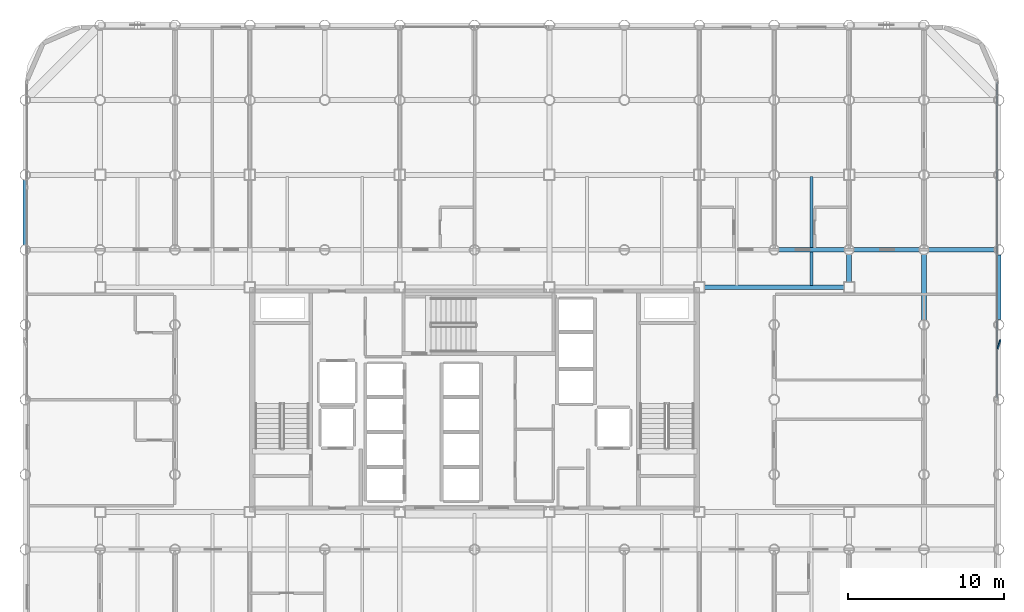
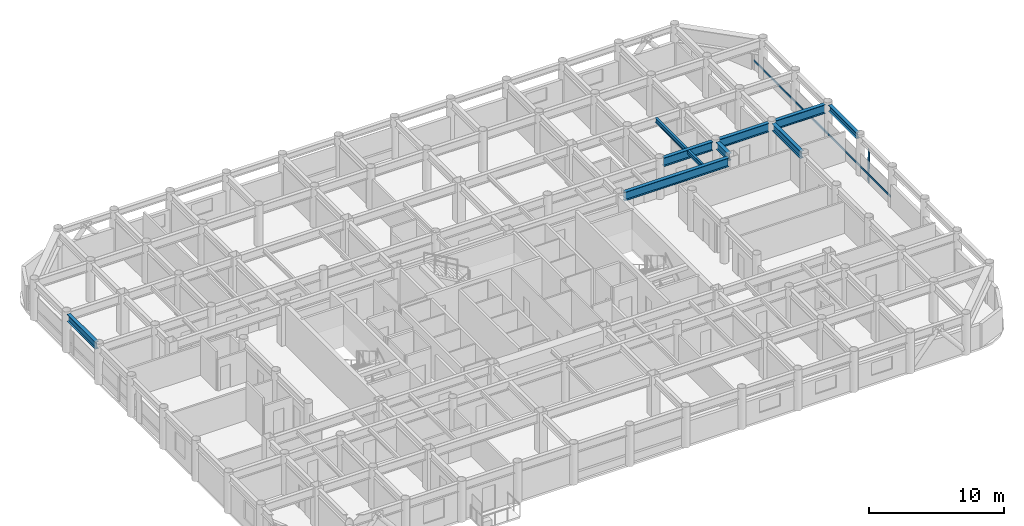
# One storey, part 9 of 22: 9 beams, 2 members, 1 element without a shape of its own.
"""IFC4 building model written with IfcOpenShell, lengths in metres."""

from ifc_helpers import new_model, si_unit, direction, frame, origin, origin_2d, place, context, subcontext, project, spatial, rectangle, hollow_rectangle, i_section, extrude, material, layer, layer_set, material_profile, profile_set, type_object, element, aggregate, save


model = new_model("IFC4")

# Units and contexts
model_context = context("Model", 3, precision=1e-05, world=origin(), true_north=direction((0.0, 1.0)))
body_context = subcontext(model_context, "Body", "Model", "MODEL_VIEW")
ifc_project = project(units=[si_unit("LENGTHUNIT", "METRE"), si_unit("AREAUNIT", "SQUARE_METRE"), si_unit("VOLUMEUNIT", "CUBIC_METRE"), si_unit("PLANEANGLEUNIT", "RADIAN"), si_unit("MASSUNIT", "GRAM", prefix="KILO")], contexts=[model_context])

# Site, building, storey
site_placement = place(None, origin())
site = spatial("IfcSite", under=ifc_project, at=site_placement, CompositionType="ELEMENT")
building_placement = place(site_placement, origin())
building = spatial("IfcBuilding", under=site, at=building_placement, Name="Kallvorn Hotel Tower", CompositionType="ELEMENT")
storey_placement = place(building_placement, frame((0.0, 0.0, 102.60009765625)))
storey = spatial("IfcBuildingStorey", under=building, at=storey_placement, Name="L24", CompositionType="ELEMENT", Elevation=102.60009765625)

# Beams
ifc_material_1 = material(Name="Structural steel S355JR", Category="steel")
ifc_material_profile_1 = material_profile(ifc_material_1, i_section(OverallWidth=0.300048828125, OverallDepth=0.550048828125, WebThickness=0.014892578125, FlangeThickness=0.029052734375, at=origin_2d()), Name="HE 550 B")
ifc_profile_set_1 = profile_set([ifc_material_profile_1], Name="Structural steel S355JR")
beam_type_1 = type_object("IfcBeamType", Name="BM_HE550B", PredefinedType="SPANDREL", material=ifc_profile_set_1)
beam_1_placement = place(storey_placement, frame((33.60009765625, 5.1201171875, 3.244873046875), z_axis=(0.0, 1.0, 0.0), x_axis=(-1.0, 0.0, 0.0)))
element("IfcBeam", 1, at=beam_1_placement, inside=storey, type_object=beam_type_1, Name="L25 Perimeter Spandrel 186", PredefinedType="SPANDREL", context=body_context, shape_type="SweptSolid", body=[
    extrude(i_section(OverallWidth=0.300048828125, OverallDepth=0.550048828125, WebThickness=0.014892578125, FlangeThickness=0.029052734375, at=origin_2d()), origin(), (0.0, 0.0, 1.0), 4.159912109375),
])
ifc_material_2 = material(Name="Structural steel S355JR", Category="steel")
ifc_material_profile_2 = material_profile(ifc_material_2, i_section(OverallWidth=0.300048828125, OverallDepth=0.64990234375, WebThickness=0.01611328125, FlangeThickness=0.031005859375, at=origin_2d()), Name="HE 650 B")
ifc_profile_set_2 = profile_set([ifc_material_profile_2], Name="Structural steel S355JR")
beam_type_2 = type_object("IfcBeamType", Name="BM_HE650B", PredefinedType="BEAM", material=ifc_profile_set_2)
beam_2_placement = place(storey_placement, frame((-28.800048828125, 9.905029296875, 3.19482421875), z_axis=(0.0, 1.0, 0.0), x_axis=(-1.0, 0.0, 0.0)))
element("IfcBeam", 2, at=beam_2_placement, inside=storey, type_object=beam_type_2, Name="L25 Primary Y-Girder 79", PredefinedType="BEAM", context=body_context, shape_type="SweptSolid", body=[
    extrude(i_section(OverallWidth=0.300048828125, OverallDepth=0.64990234375, WebThickness=0.01611328125, FlangeThickness=0.031005859375, at=origin_2d()), origin(), (0.0, 0.0, 1.0), 4.18994140625),
])
beam_3_placement = place(storey_placement, frame((24.0, 7.52490234375, 3.19482421875), z_axis=(0.0, 1.0, 0.0), x_axis=(-1.0, 0.0, 0.0)))
element("IfcBeam", 3, at=beam_3_placement, inside=storey, type_object=beam_type_2, Name="L25 Primary Y-Girder 138", PredefinedType="BEAM", context=body_context, shape_type="SweptSolid", body=[
    extrude(i_section(OverallWidth=0.300048828125, OverallDepth=0.64990234375, WebThickness=0.01611328125, FlangeThickness=0.031005859375, at=origin_2d()), origin(), (0.0, 0.0, 1.0), 1.77001953125),
])
beam_4_placement = place(storey_placement, frame((28.800048828125, 5.10498046875, 3.19482421875), z_axis=(0.0, 1.0, 0.0), x_axis=(-1.0, 0.0, 0.0)))
element("IfcBeam", 4, at=beam_4_placement, inside=storey, type_object=beam_type_2, Name="L25 Primary Y-Girder 147", PredefinedType="BEAM", context=body_context, shape_type="SweptSolid", body=[
    extrude(i_section(OverallWidth=0.300048828125, OverallDepth=0.64990234375, WebThickness=0.01611328125, FlangeThickness=0.031005859375, at=origin_2d()), origin(), (0.0, 0.0, 1.0), 4.18994140625),
])
ifc_material_3 = material(Name="Structural steel S355JR", Category="steel")
ifc_material_profile_3 = material_profile(ifc_material_3, i_section(OverallWidth=0.300048828125, OverallDepth=0.800048828125, WebThickness=0.017578125, FlangeThickness=0.032958984375, at=origin_2d()), Name="HE 800 B")
ifc_profile_set_3 = profile_set([ifc_material_profile_3], Name="Structural steel S355JR")
beam_type_3 = type_object("IfcBeamType", Name="BM_HE800B", PredefinedType="BEAM", material=ifc_profile_set_3)
beam_5_placement = place(storey_placement, frame((14.72509765625, 7.199951171875, 3.119873046875), z_axis=(1.0, 0.0, 0.0), x_axis=(0.0, 1.0, 0.0)))
element("IfcBeam", 5, at=beam_5_placement, inside=storey, type_object=beam_type_3, Name="L25 Primary X-Girder 40", PredefinedType="BEAM", context=body_context, shape_type="SweptSolid", body=[
    extrude(i_section(OverallWidth=0.300048828125, OverallDepth=0.800048828125, WebThickness=0.017578125, FlangeThickness=0.032958984375, at=origin_2d()), origin(), (0.0, 0.0, 1.0), 8.949951171875),
])
for number, where, z_axis, x_axis, name in (
    (6, (19.5048828125, 9.60009765625, 3.119873046875), (1.0, 0.0, 0.0), (0.0, 1.0, 0.0), "L25 Primary X-Girder 47"),
    (7, (24.304931640625, 9.60009765625, 3.119873046875), (1.0, 0.0, 0.0), (0.0, 1.0, 0.0), "L25 Primary X-Girder 48"),
):
    element("IfcBeam", number, at=place(storey_placement, frame(where, z_axis=z_axis, x_axis=x_axis)), inside=storey, type_object=beam_type_3, Name=name, PredefinedType="BEAM", context=body_context, shape_type="SweptSolid", body=[
        extrude(i_section(OverallWidth=0.300048828125, OverallDepth=0.800048828125, WebThickness=0.017578125, FlangeThickness=0.032958984375, at=origin_2d()), origin(), (0.0, 0.0, 1.0), 4.190185546875),
    ])
beam_6_placement = place(storey_placement, frame((29.10498046875, 9.60009765625, 3.119873046875), z_axis=(1.0, 0.0, 0.0), x_axis=(0.0, 1.0, 0.0)))
element("IfcBeam", 8, at=beam_6_placement, inside=storey, type_object=beam_type_3, Name="L25 Primary X-Girder 49", PredefinedType="BEAM", context=body_context, shape_type="SweptSolid", body=[
    extrude(i_section(OverallWidth=0.300048828125, OverallDepth=0.800048828125, WebThickness=0.017578125, FlangeThickness=0.032958984375, at=origin_2d()), origin(), (0.0, 0.0, 1.0), 4.18994140625),
])
ifc_material_4 = material(Name="Structural steel S355JR", Category="steel")
ifc_material_profile_4 = material_profile(ifc_material_4, i_section(OverallWidth=0.179931640625, OverallDepth=0.39990234375, WebThickness=0.008544921875, FlangeThickness=0.013427734375, at=origin_2d()), Name="IPE 400")
ifc_profile_set_4 = profile_set([ifc_material_profile_4], Name="Structural steel S355JR")
beam_type_4 = type_object("IfcBeamType", Name="BM_IPE400", PredefinedType="JOIST", material=ifc_profile_set_4)
beam_7_placement = place(storey_placement, frame((21.60009765625, 7.300048828125, 3.31982421875), z_axis=(0.0, 1.0, 0.0), x_axis=(-1.0, 0.0, 0.0)))
element("IfcBeam", 9, at=beam_7_placement, inside=storey, type_object=beam_type_4, Name="L25 Secondary Composite Joist 209", PredefinedType="JOIST", context=body_context, shape_type="SweptSolid", body=[
    extrude(i_section(OverallWidth=0.179931640625, OverallDepth=0.39990234375, WebThickness=0.008544921875, FlangeThickness=0.013427734375, at=origin_2d()), origin(), (0.0, 0.0, 1.0), 7.0),
])

# Curtain wall, member
ifc_material_5 = material(Name="Thermally broken black-anodised aluminium AA 6063-T6", Category="aluminium")
ifc_layer = layer(ifc_material_5, 0.199951171875)
ifc_layer_set = layer_set([ifc_layer], Name="CW_SYS_3_HOTEL_LOW")
curtain_wall_type = type_object("IfcCurtainWallType", Name="CW_SYS_3_HOTEL_LOW", PredefinedType="USERDEFINED", material=ifc_layer_set)
curtain_wall_placement = place(storey_placement, origin())
curtain_wall = element("IfcCurtainWall", 10, at=curtain_wall_placement, inside=storey, type_object=curtain_wall_type, Name="L24 Dark-Glass Curtain Wall CW-L24-EN", ObjectType="UNITISED CURTAIN WALL", PredefinedType="USERDEFINED")
ifc_material_6 = material(Name="Thermally broken black-anodised aluminium AA 6063-T6", Category="aluminium")
ifc_material_profile_5 = material_profile(ifc_material_6, hollow_rectangle(XDim=0.070068359375, YDim=0.179931640625, WallThickness=0.00390625, at=origin_2d()), Name="TRN 180x70")
ifc_profile_set_5 = profile_set([ifc_material_profile_5], Name="Thermally broken black-anodised aluminium AA 6063-T6")
member_type_1 = type_object("IfcMemberType", Name="CW_TRANSOM_180x70", PredefinedType="USERDEFINED", material=ifc_profile_set_5)
member_1_placement = place(storey_placement, frame((33.47998046875, 0.06005859375, 0.849853515625), z_axis=(0.0, 1.0, 0.0), x_axis=(-1.0, 0.0, 0.0)))
member_1 = element("IfcMember", 11, at=member_1_placement, type_object=member_type_1, Name="CW-L24-EN Transom 00M", ObjectType="TRANSOM", PredefinedType="USERDEFINED", context=body_context, shape_type="SweptSolid", body=[
    extrude(hollow_rectangle(XDim=0.070068359375, YDim=0.179931640625, WallThickness=0.00390625, at=origin_2d()), origin(), (0.0, 0.0, 1.0), 20.300048828125),
])
aggregate(curtain_wall, [member_1])

# Member
ifc_material_7 = material(Name="Thermally broken black-anodised aluminium AA 6063-T6", Category="aluminium")
ifc_material_profile_6 = material_profile(ifc_material_7, rectangle(XDim=0.06005859375, YDim=0.5, at=origin_2d()), Name="FIN 500x60")
ifc_profile_set_6 = profile_set([ifc_material_profile_6], Name="Thermally broken black-anodised aluminium AA 6063-T6")
member_type_2 = type_object("IfcMemberType", Name="MBR_SUNSHADE_FIN", PredefinedType="USERDEFINED", material=ifc_profile_set_6)
member_2_placement = place(storey_placement, frame((33.60009765625, 3.60009765625, 0.0), z_axis=(0.0, -0.039017480599, 0.999238528184), x_axis=(0.951056516295, -0.308781686643, -0.012057064583)))
element("IfcMember", 12, at=member_2_placement, inside=storey, type_object=member_type_2, Name="L24 Angled Vertical Sunshade Fin E1", ObjectType="SUNSHADE FIN", PredefinedType="USERDEFINED", context=body_context, shape_type="SweptSolid", body=[
    extrude(rectangle(XDim=0.06005859375, YDim=0.5, at=origin_2d()), origin(), (0.0, 0.0, 1.0), 2.8720703125),
])

save(model, "model.ifc")
